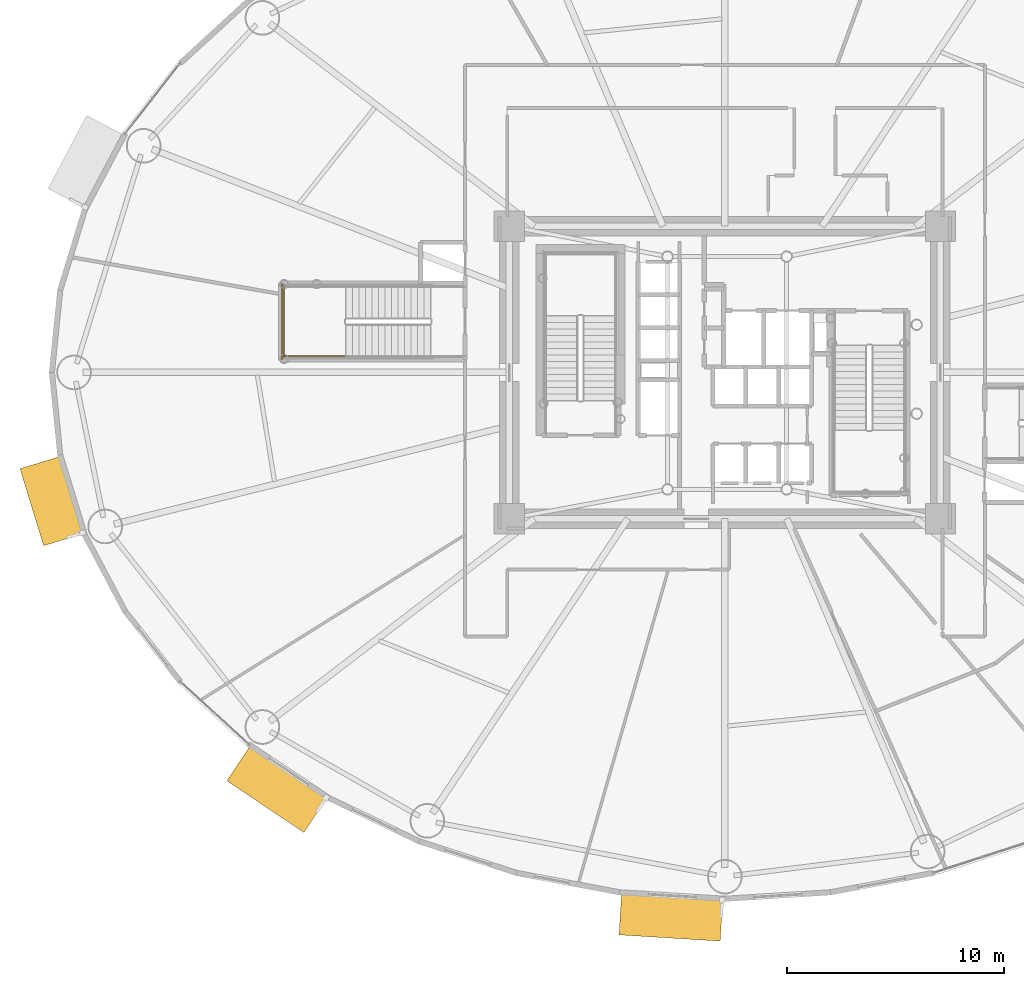
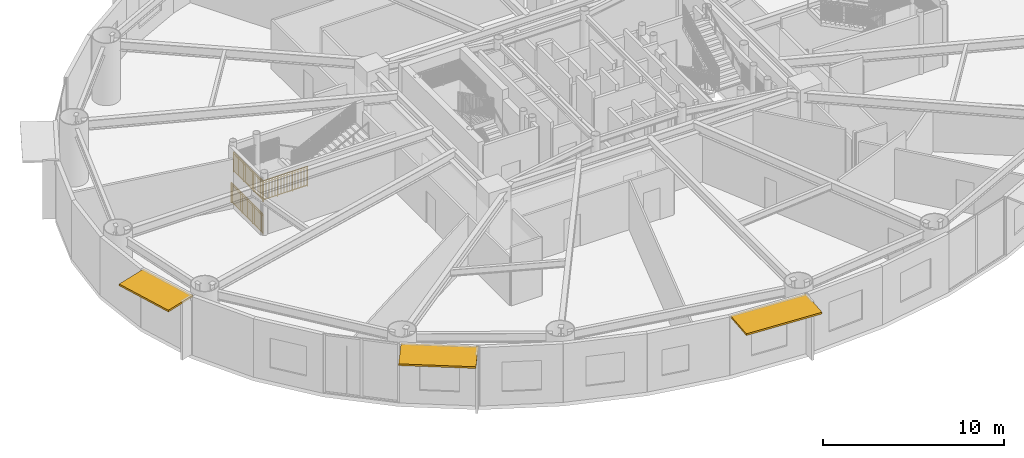
# One storey, part 17 of 28: 3 railings, 3 shading devices.
"""IFC4 building model written with IfcOpenShell, lengths in metres."""

from ifc_helpers import new_model, si_unit, direction, frame, origin, origin_2d, place, context, subcontext, project, spatial, rectangle, extrude, source, transform, mapped, material, layer, layer_set, type_object, element, save


model = new_model("IFC4")

# Units and contexts
model_context = context("Model", 3, precision=1e-05, world=origin(), true_north=direction((0.0, 1.0)))
body_context = subcontext(model_context, "Body", "Model", "MODEL_VIEW")
ifc_project = project(units=[si_unit("LENGTHUNIT", "METRE"), si_unit("AREAUNIT", "SQUARE_METRE"), si_unit("VOLUMEUNIT", "CUBIC_METRE"), si_unit("PLANEANGLEUNIT", "RADIAN"), si_unit("MASSUNIT", "GRAM", prefix="KILO")], contexts=[model_context])

# Site, building, storey
site_placement = place(None, origin())
site = spatial("IfcSite", under=ifc_project, at=site_placement, CompositionType="ELEMENT")
building_placement = place(site_placement, origin())
building = spatial("IfcBuilding", under=site, at=building_placement, Name="Linh Dai School and Residence Tower", CompositionType="ELEMENT")
storey_placement = place(building_placement, frame((0.0, 0.0, 36.60009765625)))
storey = spatial("IfcBuildingStorey", under=building, at=storey_placement, Name="L08", CompositionType="ELEMENT", Elevation=36.60009765625)

# Shading devices
ifc_material_1 = material(Name="Terracotta Ceramic Sunshade", Category="masonry")
ifc_layer = layer(ifc_material_1, 0.1201171875)
ifc_layer_set = layer_set([ifc_layer], Name="Terracotta Ceramic Sunshade")
shading_device_type = type_object("IfcShadingDeviceType", Name="SHD-TC-2000", PredefinedType="USERDEFINED", material=ifc_layer_set)
shared_shape_1 = source(origin(), body_context, "Body", "SweptSolid", [
    extrude(rectangle(XDim=3.7197265625, YDim=2.0, at=origin_2d()), origin(), (0.0, 0.0, 1.0), 0.1201171875),
])
shading_device_1_placement = place(storey_placement, frame((4.956787109375, 21.0693359375, 3.809814453125), z_axis=(0.0, 0.0, 1.0), x_axis=(-0.293145733514, 0.956067769001, 0.0)))
element("IfcShadingDevice", 1, at=shading_device_1_placement, inside=storey, type_object=shading_device_type, Name="L08 Terracotta Horizontal Sunshade Band 22", ObjectType="SUNSHADE", PredefinedType="USERDEFINED", context=body_context, shape_type="MappedRepresentation", body=[
    mapped(shared_shape_1, transform((0.0, 0.0, 0.0), x_axis=(1.0, 0.0, 0.0), y_axis=(0.0, 1.0, 0.0), z_axis=(0.0, 0.0, 1.0), scale=1.0)),
])
shared_shape_2 = source(origin(), body_context, "Body", "SweptSolid", [
    extrude(rectangle(XDim=4.28173828125, YDim=2.0, at=origin_2d()), origin(), (0.0, 0.0, 1.0), 0.1201171875),
])
shading_device_2_placement = place(storey_placement, frame((15.33544921875, 7.7861328125, 3.809814453125), z_axis=(0.0, 0.0, 1.0), x_axis=(-0.831250578927, 0.555897899828, 0.0)))
element("IfcShadingDevice", 2, at=shading_device_2_placement, inside=storey, type_object=shading_device_type, Name="L08 Terracotta Horizontal Sunshade Band 26", ObjectType="SUNSHADE", PredefinedType="USERDEFINED", context=body_context, shape_type="MappedRepresentation", body=[
    mapped(shared_shape_2, transform((0.0, 0.0, 0.0), x_axis=(1.0, 0.0, 0.0), y_axis=(0.0, 1.0, 0.0), z_axis=(0.0, 0.0, 1.0), scale=1.0)),
])
shared_shape_3 = source(origin(), body_context, "Body", "SweptSolid", [
    extrude(rectangle(XDim=4.6796875, YDim=2.0, at=origin_2d()), origin(), (0.0, 0.0, 1.0), 0.1201171875),
])
shading_device_3_placement = place(storey_placement, frame((33.50830078125, 1.88671875, 3.809814453125), z_axis=(0.0, 0.0, 1.0), x_axis=(-0.998106677027, 0.061506595367, 0.0)))
element("IfcShadingDevice", 3, at=shading_device_3_placement, inside=storey, type_object=shading_device_type, Name="L08 Terracotta Horizontal Sunshade Band 30", ObjectType="SUNSHADE", PredefinedType="USERDEFINED", context=body_context, shape_type="MappedRepresentation", body=[
    mapped(shared_shape_3, transform((0.0, 0.0, 0.0), x_axis=(1.0, 0.0, 0.0), y_axis=(0.0, 1.0, 0.0), z_axis=(0.0, 0.0, 1.0), scale=1.0)),
])

# Railings
ifc_material_2 = material(Name="Structural Steel S355JR", Category="steel")
railing_type = type_object("IfcRailingType", Name="RL-ST-GUARD-1400", PredefinedType="GUARDRAIL", material=ifc_material_2)
shared_shape_4 = source(origin(), body_context, "Body", "SweptSolid", [
    extrude(rectangle(XDim=0.048095703125, YDim=0.048095703125, at=origin_2d()), frame((0.0, 0.0, 1.3759765625), z_axis=(0.0, -1.0, 0.0), x_axis=(1.0, 0.0, 0.0)), (0.0, 0.0, 1.0), 3.300048828125),
    extrude(rectangle(XDim=0.048095703125, YDim=0.048095703125, at=origin_2d()), frame((0.0, 0.0, 0.10009765625), z_axis=(0.0, -1.0, 0.0), x_axis=(1.0, 0.0, 0.0)), (0.0, 0.0, 1.0), 3.300048828125),
    extrude(rectangle(XDim=0.030029296875, YDim=0.030029296875, at=origin_2d()), frame((0.0, 0.0, 1.239990234375), z_axis=(0.0, -1.0, 0.0), x_axis=(1.0, 0.0, 0.0)), (0.0, 0.0, 1.0), 3.300048828125),
    extrude(rectangle(XDim=0.02001953125, YDim=0.02001953125, at=origin_2d()), frame((0.0, -0.09716796875, 0.10009765625)), (0.0, 0.0, 1.0), 1.251708984375),
    extrude(rectangle(XDim=0.02001953125, YDim=0.02001953125, at=origin_2d()), frame((0.0, -0.194091796875, 0.10009765625)), (0.0, 0.0, 1.0), 1.251708984375),
    extrude(rectangle(XDim=0.02001953125, YDim=0.02001953125, at=origin_2d()), frame((0.0, -0.291259765625, 0.10009765625)), (0.0, 0.0, 1.0), 1.251708984375),
    extrude(rectangle(XDim=0.02001953125, YDim=0.02001953125, at=origin_2d()), frame((0.0, -0.38818359375, 0.10009765625)), (0.0, 0.0, 1.0), 1.251708984375),
    extrude(rectangle(XDim=0.02001953125, YDim=0.02001953125, at=origin_2d()), frame((0.0, -0.4853515625, 0.10009765625)), (0.0, 0.0, 1.0), 1.251708984375),
    extrude(rectangle(XDim=0.02001953125, YDim=0.02001953125, at=origin_2d()), frame((0.0, -0.582275390625, 0.10009765625)), (0.0, 0.0, 1.0), 1.251708984375),
    extrude(rectangle(XDim=0.02001953125, YDim=0.02001953125, at=origin_2d()), frame((0.0, -0.679443359375, 0.10009765625)), (0.0, 0.0, 1.0), 1.251708984375),
    extrude(rectangle(XDim=0.02001953125, YDim=0.02001953125, at=origin_2d()), frame((0.0, -0.7763671875, 0.10009765625)), (0.0, 0.0, 1.0), 1.251708984375),
    extrude(rectangle(XDim=0.02001953125, YDim=0.02001953125, at=origin_2d()), frame((0.0, -0.87353515625, 0.10009765625)), (0.0, 0.0, 1.0), 1.251708984375),
    extrude(rectangle(XDim=0.02001953125, YDim=0.02001953125, at=origin_2d()), frame((0.0, -0.970703125, 0.10009765625)), (0.0, 0.0, 1.0), 1.251708984375),
    extrude(rectangle(XDim=0.02001953125, YDim=0.02001953125, at=origin_2d()), frame((0.0, -1.164794921875, 0.10009765625)), (0.0, 0.0, 1.0), 1.251708984375),
    extrude(rectangle(XDim=0.02001953125, YDim=0.02001953125, at=origin_2d()), frame((0.0, -1.26171875, 0.10009765625)), (0.0, 0.0, 1.0), 1.251708984375),
    extrude(rectangle(XDim=0.02001953125, YDim=0.02001953125, at=origin_2d()), frame((0.0, -1.35888671875, 0.10009765625)), (0.0, 0.0, 1.0), 1.251708984375),
    extrude(rectangle(XDim=0.02001953125, YDim=0.02001953125, at=origin_2d()), frame((0.0, -1.455810546875, 0.10009765625)), (0.0, 0.0, 1.0), 1.251708984375),
    extrude(rectangle(XDim=0.02001953125, YDim=0.02001953125, at=origin_2d()), frame((0.0, -1.552978515625, 0.10009765625)), (0.0, 0.0, 1.0), 1.251708984375),
    extrude(rectangle(XDim=0.02001953125, YDim=0.02001953125, at=origin_2d()), frame((0.0, -1.64990234375, 0.10009765625)), (0.0, 0.0, 1.0), 1.251708984375),
    extrude(rectangle(XDim=0.02001953125, YDim=0.02001953125, at=origin_2d()), frame((0.0, -1.7470703125, 0.10009765625)), (0.0, 0.0, 1.0), 1.251708984375),
    extrude(rectangle(XDim=0.02001953125, YDim=0.02001953125, at=origin_2d()), frame((0.0, -1.84423828125, 0.10009765625)), (0.0, 0.0, 1.0), 1.251708984375),
    extrude(rectangle(XDim=0.02001953125, YDim=0.02001953125, at=origin_2d()), frame((0.0, -1.941162109375, 0.10009765625)), (0.0, 0.0, 1.0), 1.251708984375),
    extrude(rectangle(XDim=0.02001953125, YDim=0.02001953125, at=origin_2d()), frame((0.0, -2.038330078125, 0.10009765625)), (0.0, 0.0, 1.0), 1.251708984375),
    extrude(rectangle(XDim=0.02001953125, YDim=0.02001953125, at=origin_2d()), frame((0.0, -2.13525390625, 0.10009765625)), (0.0, 0.0, 1.0), 1.251708984375),
    extrude(rectangle(XDim=0.02001953125, YDim=0.02001953125, at=origin_2d()), frame((0.0, -2.329345703125, 0.10009765625)), (0.0, 0.0, 1.0), 1.251708984375),
    extrude(rectangle(XDim=0.02001953125, YDim=0.02001953125, at=origin_2d()), frame((0.0, -2.426513671875, 0.10009765625)), (0.0, 0.0, 1.0), 1.251708984375),
    extrude(rectangle(XDim=0.02001953125, YDim=0.02001953125, at=origin_2d()), frame((0.0, -2.523681640625, 0.10009765625)), (0.0, 0.0, 1.0), 1.251708984375),
    extrude(rectangle(XDim=0.02001953125, YDim=0.02001953125, at=origin_2d()), frame((0.0, -2.62060546875, 0.10009765625)), (0.0, 0.0, 1.0), 1.251708984375),
    extrude(rectangle(XDim=0.02001953125, YDim=0.02001953125, at=origin_2d()), frame((0.0, -2.7177734375, 0.10009765625)), (0.0, 0.0, 1.0), 1.251708984375),
    extrude(rectangle(XDim=0.02001953125, YDim=0.02001953125, at=origin_2d()), frame((0.0, -2.814697265625, 0.10009765625)), (0.0, 0.0, 1.0), 1.251708984375),
    extrude(rectangle(XDim=0.02001953125, YDim=0.02001953125, at=origin_2d()), frame((0.0, -2.911865234375, 0.10009765625)), (0.0, 0.0, 1.0), 1.251708984375),
    extrude(rectangle(XDim=0.02001953125, YDim=0.02001953125, at=origin_2d()), frame((0.0, -3.0087890625, 0.10009765625)), (0.0, 0.0, 1.0), 1.251708984375),
    extrude(rectangle(XDim=0.02001953125, YDim=0.02001953125, at=origin_2d()), frame((0.0, -3.10595703125, 0.10009765625)), (0.0, 0.0, 1.0), 1.251708984375),
    extrude(rectangle(XDim=0.02001953125, YDim=0.02001953125, at=origin_2d()), frame((0.0, -3.202880859375, 0.10009765625)), (0.0, 0.0, 1.0), 1.251708984375),
    extrude(rectangle(XDim=0.0419921875, YDim=0.0419921875, at=origin_2d()), origin(), (0.0, 0.0, 1.0), 1.3759765625),
    extrude(rectangle(XDim=0.0419921875, YDim=0.0419921875, at=origin_2d()), frame((0.0, -1.10009765625, 0.0)), (0.0, 0.0, 1.0), 1.3759765625),
    extrude(rectangle(XDim=0.0419921875, YDim=0.0419921875, at=origin_2d()), frame((0.0, -2.199951171875, 0.0)), (0.0, 0.0, 1.0), 1.3759765625),
    extrude(rectangle(XDim=0.0419921875, YDim=0.0419921875, at=origin_2d()), frame((0.0, -3.300048828125, 0.0)), (0.0, 0.0, 1.0), 1.3759765625),
])
railing_1_placement = place(storey_placement, frame((15.64990234375, 31.0, 2.099853515625)))
element("IfcRailing", 4, at=railing_1_placement, inside=storey, type_object=railing_type, Name="L08 STS1 stair guard 5", PredefinedType="GUARDRAIL", context=body_context, shape_type="MappedRepresentation", body=[
    mapped(shared_shape_4, transform((0.0, 0.0, 0.0), x_axis=(1.0, 0.0, 0.0), y_axis=(0.0, 1.0, 0.0), z_axis=(0.0, 0.0, 1.0), scale=1.0)),
])
shared_shape_5 = source(origin(), body_context, "Body", "SweptSolid", [
    extrude(rectangle(XDim=0.048095703125, YDim=0.048095703125, at=origin_2d()), frame((0.0, 0.0, 1.3759765625), z_axis=(-1.0, 0.0, 0.0), x_axis=(0.0, -1.0, 0.0)), (0.0, 0.0, 1.0), 2.89990234375),
    extrude(rectangle(XDim=0.048095703125, YDim=0.048095703125, at=origin_2d()), frame((0.0, 0.0, 0.10009765625), z_axis=(-1.0, 0.0, 0.0), x_axis=(0.0, -1.0, 0.0)), (0.0, 0.0, 1.0), 2.89990234375),
    extrude(rectangle(XDim=0.030029296875, YDim=0.030029296875, at=origin_2d()), frame((0.0, 0.0, 1.239990234375), z_axis=(-1.0, 0.0, 0.0), x_axis=(0.0, -1.0, 0.0)), (0.0, 0.0, 1.0), 2.89990234375),
    extrude(rectangle(XDim=0.02001953125, YDim=0.02001953125, at=origin_2d()), frame((-0.0966796875, 0.0, 0.10009765625)), (0.0, 0.0, 1.0), 1.251708984375),
    extrude(rectangle(XDim=0.02001953125, YDim=0.02001953125, at=origin_2d()), frame((-0.193359375, 0.0, 0.10009765625)), (0.0, 0.0, 1.0), 1.251708984375),
    extrude(rectangle(XDim=0.02001953125, YDim=0.02001953125, at=origin_2d()), frame((-0.2900390625, 0.0, 0.10009765625)), (0.0, 0.0, 1.0), 1.251708984375),
    extrude(rectangle(XDim=0.02001953125, YDim=0.02001953125, at=origin_2d()), frame((-0.38671875, 0.0, 0.10009765625)), (0.0, 0.0, 1.0), 1.251708984375),
    extrude(rectangle(XDim=0.02001953125, YDim=0.02001953125, at=origin_2d()), frame((-0.4833984375, 0.0, 0.10009765625)), (0.0, 0.0, 1.0), 1.251708984375),
    extrude(rectangle(XDim=0.02001953125, YDim=0.02001953125, at=origin_2d()), frame((-0.580078125, 0.0, 0.10009765625)), (0.0, 0.0, 1.0), 1.251708984375),
    extrude(rectangle(XDim=0.02001953125, YDim=0.02001953125, at=origin_2d()), frame((-0.6767578125, 0.0, 0.10009765625)), (0.0, 0.0, 1.0), 1.251708984375),
    extrude(rectangle(XDim=0.02001953125, YDim=0.02001953125, at=origin_2d()), frame((-0.773193359375, 0.0, 0.10009765625)), (0.0, 0.0, 1.0), 1.251708984375),
    extrude(rectangle(XDim=0.02001953125, YDim=0.02001953125, at=origin_2d()), frame((-0.869873046875, 0.0, 0.10009765625)), (0.0, 0.0, 1.0), 1.251708984375),
    extrude(rectangle(XDim=0.02001953125, YDim=0.02001953125, at=origin_2d()), frame((-1.063232421875, 0.0, 0.10009765625)), (0.0, 0.0, 1.0), 1.251708984375),
    extrude(rectangle(XDim=0.02001953125, YDim=0.02001953125, at=origin_2d()), frame((-1.159912109375, 0.0, 0.10009765625)), (0.0, 0.0, 1.0), 1.251708984375),
    extrude(rectangle(XDim=0.02001953125, YDim=0.02001953125, at=origin_2d()), frame((-1.256591796875, 0.0, 0.10009765625)), (0.0, 0.0, 1.0), 1.251708984375),
    extrude(rectangle(XDim=0.02001953125, YDim=0.02001953125, at=origin_2d()), frame((-1.353271484375, 0.0, 0.10009765625)), (0.0, 0.0, 1.0), 1.251708984375),
    extrude(rectangle(XDim=0.02001953125, YDim=0.02001953125, at=origin_2d()), frame((-1.449951171875, 0.0, 0.10009765625)), (0.0, 0.0, 1.0), 1.251708984375),
    extrude(rectangle(XDim=0.02001953125, YDim=0.02001953125, at=origin_2d()), frame((-1.546630859375, 0.0, 0.10009765625)), (0.0, 0.0, 1.0), 1.251708984375),
    extrude(rectangle(XDim=0.02001953125, YDim=0.02001953125, at=origin_2d()), frame((-1.643310546875, 0.0, 0.10009765625)), (0.0, 0.0, 1.0), 1.251708984375),
    extrude(rectangle(XDim=0.02001953125, YDim=0.02001953125, at=origin_2d()), frame((-1.739990234375, 0.0, 0.10009765625)), (0.0, 0.0, 1.0), 1.251708984375),
    extrude(rectangle(XDim=0.02001953125, YDim=0.02001953125, at=origin_2d()), frame((-1.836669921875, 0.0, 0.10009765625)), (0.0, 0.0, 1.0), 1.251708984375),
    extrude(rectangle(XDim=0.02001953125, YDim=0.02001953125, at=origin_2d()), frame((-2.030029296875, 0.0, 0.10009765625)), (0.0, 0.0, 1.0), 1.251708984375),
    extrude(rectangle(XDim=0.02001953125, YDim=0.02001953125, at=origin_2d()), frame((-2.126708984375, 0.0, 0.10009765625)), (0.0, 0.0, 1.0), 1.251708984375),
    extrude(rectangle(XDim=0.02001953125, YDim=0.02001953125, at=origin_2d()), frame((-2.22314453125, 0.0, 0.10009765625)), (0.0, 0.0, 1.0), 1.251708984375),
    extrude(rectangle(XDim=0.02001953125, YDim=0.02001953125, at=origin_2d()), frame((-2.31982421875, 0.0, 0.10009765625)), (0.0, 0.0, 1.0), 1.251708984375),
    extrude(rectangle(XDim=0.02001953125, YDim=0.02001953125, at=origin_2d()), frame((-2.41650390625, 0.0, 0.10009765625)), (0.0, 0.0, 1.0), 1.251708984375),
    extrude(rectangle(XDim=0.02001953125, YDim=0.02001953125, at=origin_2d()), frame((-2.51318359375, 0.0, 0.10009765625)), (0.0, 0.0, 1.0), 1.251708984375),
    extrude(rectangle(XDim=0.02001953125, YDim=0.02001953125, at=origin_2d()), frame((-2.60986328125, 0.0, 0.10009765625)), (0.0, 0.0, 1.0), 1.251708984375),
    extrude(rectangle(XDim=0.02001953125, YDim=0.02001953125, at=origin_2d()), frame((-2.70654296875, 0.0, 0.10009765625)), (0.0, 0.0, 1.0), 1.251708984375),
    extrude(rectangle(XDim=0.02001953125, YDim=0.02001953125, at=origin_2d()), frame((-2.80322265625, 0.0, 0.10009765625)), (0.0, 0.0, 1.0), 1.251708984375),
    extrude(rectangle(XDim=0.0419921875, YDim=0.0419921875, at=origin_2d()), origin(), (0.0, 0.0, 1.0), 1.3759765625),
    extrude(rectangle(XDim=0.0419921875, YDim=0.0419921875, at=origin_2d()), frame((-0.966552734375, 0.0, 0.0)), (0.0, 0.0, 1.0), 1.3759765625),
    extrude(rectangle(XDim=0.0419921875, YDim=0.0419921875, at=origin_2d()), frame((-1.933349609375, 0.0, 0.0)), (0.0, 0.0, 1.0), 1.3759765625),
    extrude(rectangle(XDim=0.0419921875, YDim=0.0419921875, at=origin_2d()), frame((-2.89990234375, 0.0, 0.0)), (0.0, 0.0, 1.0), 1.3759765625),
])
railing_2_placement = place(storey_placement, frame((18.5, 27.75, 2.099853515625)))
element("IfcRailing", 5, at=railing_2_placement, inside=storey, type_object=railing_type, Name="L08 STS1 stair guard 4", PredefinedType="GUARDRAIL", context=body_context, shape_type="MappedRepresentation", body=[
    mapped(shared_shape_5, transform((0.0, 0.0, 0.0), x_axis=(1.0, 0.0, 0.0), y_axis=(0.0, 1.0, 0.0), z_axis=(0.0, 0.0, 1.0), scale=1.0)),
])
shared_shape_6 = source(origin(), body_context, "Body", "SweptSolid", [
    extrude(rectangle(XDim=0.048095703125, YDim=0.048095703125, at=origin_2d()), frame((0.0, 0.0, 1.3759765625), z_axis=(0.0, -1.0, 0.0), x_axis=(1.0, 0.0, 0.0)), (0.0, 0.0, 1.0), 3.5),
    extrude(rectangle(XDim=0.048095703125, YDim=0.048095703125, at=origin_2d()), frame((0.0, 0.0, 0.10009765625), z_axis=(0.0, -1.0, 0.0), x_axis=(1.0, 0.0, 0.0)), (0.0, 0.0, 1.0), 3.5),
    extrude(rectangle(XDim=0.030029296875, YDim=0.030029296875, at=origin_2d()), frame((0.0, 0.0, 1.239990234375), z_axis=(0.0, -1.0, 0.0), x_axis=(1.0, 0.0, 0.0)), (0.0, 0.0, 1.0), 3.5),
    extrude(rectangle(XDim=0.02001953125, YDim=0.02001953125, at=origin_2d()), frame((0.0, -0.09716796875, 0.10009765625)), (0.0, 0.0, 1.0), 1.251708984375),
    extrude(rectangle(XDim=0.02001953125, YDim=0.02001953125, at=origin_2d()), frame((0.0, -0.1943359375, 0.10009765625)), (0.0, 0.0, 1.0), 1.251708984375),
    extrude(rectangle(XDim=0.02001953125, YDim=0.02001953125, at=origin_2d()), frame((0.0, -0.291748046875, 0.10009765625)), (0.0, 0.0, 1.0), 1.251708984375),
    extrude(rectangle(XDim=0.02001953125, YDim=0.02001953125, at=origin_2d()), frame((0.0, -0.388916015625, 0.10009765625)), (0.0, 0.0, 1.0), 1.251708984375),
    extrude(rectangle(XDim=0.02001953125, YDim=0.02001953125, at=origin_2d()), frame((0.0, -0.486083984375, 0.10009765625)), (0.0, 0.0, 1.0), 1.251708984375),
    extrude(rectangle(XDim=0.02001953125, YDim=0.02001953125, at=origin_2d()), frame((0.0, -0.583251953125, 0.10009765625)), (0.0, 0.0, 1.0), 1.251708984375),
    extrude(rectangle(XDim=0.02001953125, YDim=0.02001953125, at=origin_2d()), frame((0.0, -0.6806640625, 0.10009765625)), (0.0, 0.0, 1.0), 1.251708984375),
    extrude(rectangle(XDim=0.02001953125, YDim=0.02001953125, at=origin_2d()), frame((0.0, -0.77783203125, 0.10009765625)), (0.0, 0.0, 1.0), 1.251708984375),
    extrude(rectangle(XDim=0.02001953125, YDim=0.02001953125, at=origin_2d()), frame((0.0, -0.875, 0.10009765625)), (0.0, 0.0, 1.0), 1.251708984375),
    extrude(rectangle(XDim=0.02001953125, YDim=0.02001953125, at=origin_2d()), frame((0.0, -0.97216796875, 0.10009765625)), (0.0, 0.0, 1.0), 1.251708984375),
    extrude(rectangle(XDim=0.02001953125, YDim=0.02001953125, at=origin_2d()), frame((0.0, -1.0693359375, 0.10009765625)), (0.0, 0.0, 1.0), 1.251708984375),
    extrude(rectangle(XDim=0.02001953125, YDim=0.02001953125, at=origin_2d()), frame((0.0, -1.263916015625, 0.10009765625)), (0.0, 0.0, 1.0), 1.251708984375),
    extrude(rectangle(XDim=0.02001953125, YDim=0.02001953125, at=origin_2d()), frame((0.0, -1.361083984375, 0.10009765625)), (0.0, 0.0, 1.0), 1.251708984375),
    extrude(rectangle(XDim=0.02001953125, YDim=0.02001953125, at=origin_2d()), frame((0.0, -1.458251953125, 0.10009765625)), (0.0, 0.0, 1.0), 1.251708984375),
    extrude(rectangle(XDim=0.02001953125, YDim=0.02001953125, at=origin_2d()), frame((0.0, -1.5556640625, 0.10009765625)), (0.0, 0.0, 1.0), 1.251708984375),
    extrude(rectangle(XDim=0.02001953125, YDim=0.02001953125, at=origin_2d()), frame((0.0, -1.65283203125, 0.10009765625)), (0.0, 0.0, 1.0), 1.251708984375),
    extrude(rectangle(XDim=0.02001953125, YDim=0.02001953125, at=origin_2d()), frame((0.0, -1.75, 0.10009765625)), (0.0, 0.0, 1.0), 1.251708984375),
    extrude(rectangle(XDim=0.02001953125, YDim=0.02001953125, at=origin_2d()), frame((0.0, -1.84716796875, 0.10009765625)), (0.0, 0.0, 1.0), 1.251708984375),
    extrude(rectangle(XDim=0.02001953125, YDim=0.02001953125, at=origin_2d()), frame((0.0, -1.9443359375, 0.10009765625)), (0.0, 0.0, 1.0), 1.251708984375),
    extrude(rectangle(XDim=0.02001953125, YDim=0.02001953125, at=origin_2d()), frame((0.0, -2.041748046875, 0.10009765625)), (0.0, 0.0, 1.0), 1.251708984375),
    extrude(rectangle(XDim=0.02001953125, YDim=0.02001953125, at=origin_2d()), frame((0.0, -2.138916015625, 0.10009765625)), (0.0, 0.0, 1.0), 1.251708984375),
    extrude(rectangle(XDim=0.02001953125, YDim=0.02001953125, at=origin_2d()), frame((0.0, -2.236083984375, 0.10009765625)), (0.0, 0.0, 1.0), 1.251708984375),
    extrude(rectangle(XDim=0.02001953125, YDim=0.02001953125, at=origin_2d()), frame((0.0, -2.4306640625, 0.10009765625)), (0.0, 0.0, 1.0), 1.251708984375),
    extrude(rectangle(XDim=0.02001953125, YDim=0.02001953125, at=origin_2d()), frame((0.0, -2.52783203125, 0.10009765625)), (0.0, 0.0, 1.0), 1.251708984375),
    extrude(rectangle(XDim=0.02001953125, YDim=0.02001953125, at=origin_2d()), frame((0.0, -2.625, 0.10009765625)), (0.0, 0.0, 1.0), 1.251708984375),
    extrude(rectangle(XDim=0.02001953125, YDim=0.02001953125, at=origin_2d()), frame((0.0, -2.72216796875, 0.10009765625)), (0.0, 0.0, 1.0), 1.251708984375),
    extrude(rectangle(XDim=0.02001953125, YDim=0.02001953125, at=origin_2d()), frame((0.0, -2.8193359375, 0.10009765625)), (0.0, 0.0, 1.0), 1.251708984375),
    extrude(rectangle(XDim=0.02001953125, YDim=0.02001953125, at=origin_2d()), frame((0.0, -2.916748046875, 0.10009765625)), (0.0, 0.0, 1.0), 1.251708984375),
    extrude(rectangle(XDim=0.02001953125, YDim=0.02001953125, at=origin_2d()), frame((0.0, -3.013916015625, 0.10009765625)), (0.0, 0.0, 1.0), 1.251708984375),
    extrude(rectangle(XDim=0.02001953125, YDim=0.02001953125, at=origin_2d()), frame((0.0, -3.111083984375, 0.10009765625)), (0.0, 0.0, 1.0), 1.251708984375),
    extrude(rectangle(XDim=0.02001953125, YDim=0.02001953125, at=origin_2d()), frame((0.0, -3.208251953125, 0.10009765625)), (0.0, 0.0, 1.0), 1.251708984375),
    extrude(rectangle(XDim=0.02001953125, YDim=0.02001953125, at=origin_2d()), frame((0.0, -3.3056640625, 0.10009765625)), (0.0, 0.0, 1.0), 1.251708984375),
    extrude(rectangle(XDim=0.02001953125, YDim=0.02001953125, at=origin_2d()), frame((0.0, -3.40283203125, 0.10009765625)), (0.0, 0.0, 1.0), 1.251708984375),
    extrude(rectangle(XDim=0.0419921875, YDim=0.0419921875, at=origin_2d()), origin(), (0.0, 0.0, 1.0), 1.3759765625),
    extrude(rectangle(XDim=0.0419921875, YDim=0.0419921875, at=origin_2d()), frame((0.0, -1.166748046875, 0.0)), (0.0, 0.0, 1.0), 1.3759765625),
    extrude(rectangle(XDim=0.0419921875, YDim=0.0419921875, at=origin_2d()), frame((0.0, -2.333251953125, 0.0)), (0.0, 0.0, 1.0), 1.3759765625),
    extrude(rectangle(XDim=0.0419921875, YDim=0.0419921875, at=origin_2d()), frame((0.0, -3.5, 0.0)), (0.0, 0.0, 1.0), 1.3759765625),
])
railing_3_placement = place(storey_placement, frame((15.550048828125, 31.10009765625, 0.0)))
element("IfcRailing", 6, at=railing_3_placement, inside=storey, type_object=railing_type, Name="L08 STS1 stair guard 12", PredefinedType="GUARDRAIL", context=body_context, shape_type="MappedRepresentation", body=[
    mapped(shared_shape_6, transform((0.0, 0.0, 0.0), x_axis=(1.0, 0.0, 0.0), y_axis=(0.0, 1.0, 0.0), z_axis=(0.0, 0.0, 1.0), scale=1.0)),
])

save(model, "model.ifc")
